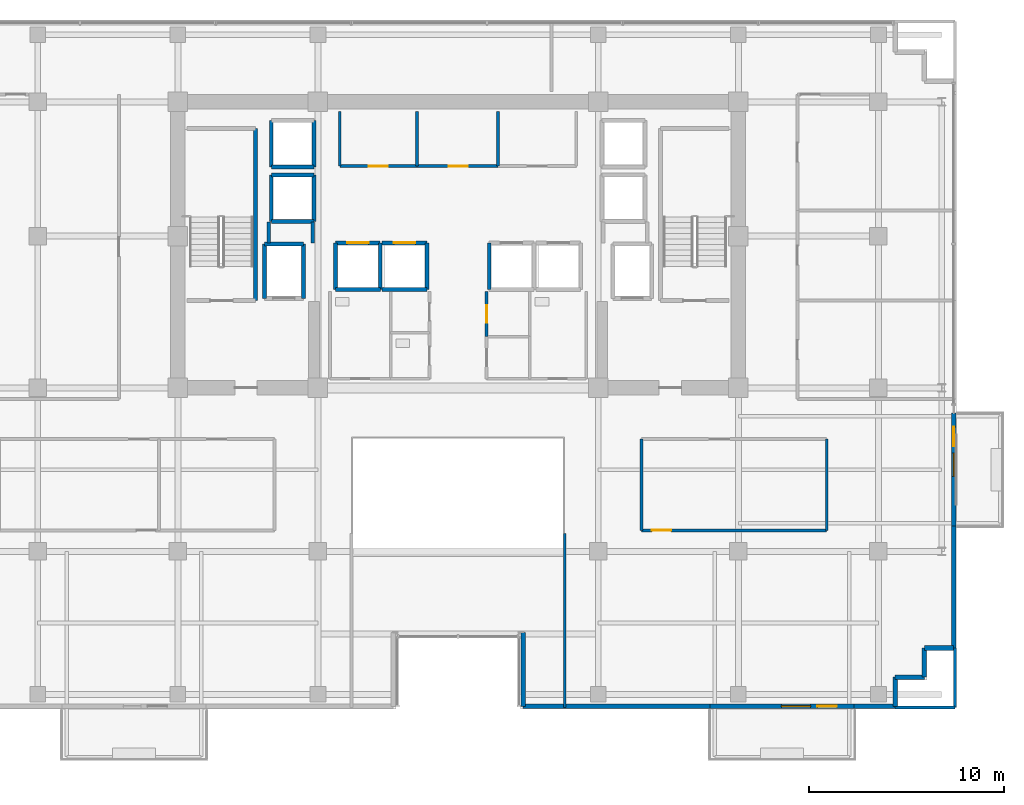
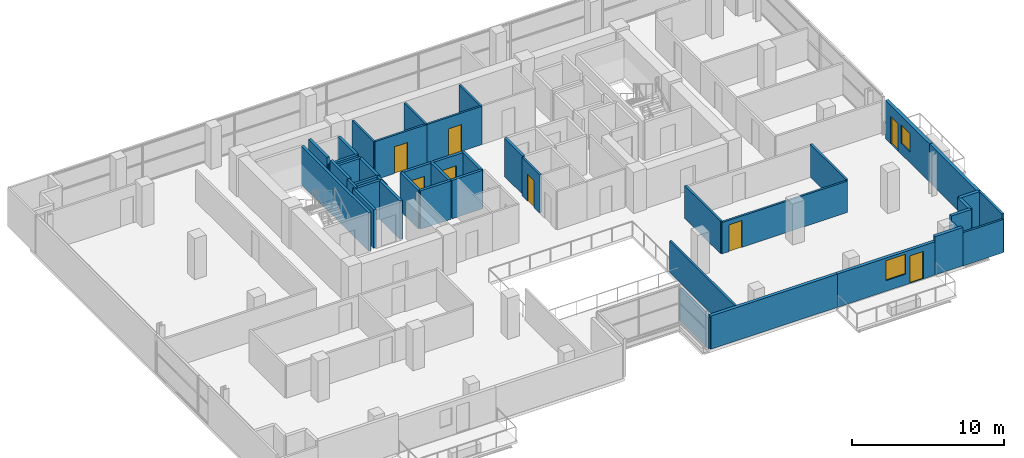
# One storey, part 20 of 25: 43 walls, 8 doors, 2 windows, 10 openings.
"""IFC4 building model written with IfcOpenShell, lengths in metres."""

from ifc_helpers import new_model, si_unit, direction, frame, frame_2d, origin, place, context, subcontext, project, spatial, rectangle, extrude, source, transform, mapped, material, layer, layer_set, type_object, element, fill, save


model = new_model("IFC4")

# Units and contexts
model_context = context("Model", 3, precision=1e-05, world=origin(), true_north=direction((0.0, 1.0)))
body_context = subcontext(model_context, "Body", "Model", "MODEL_VIEW")
ifc_project = project(units=[si_unit("LENGTHUNIT", "METRE"), si_unit("AREAUNIT", "SQUARE_METRE"), si_unit("VOLUMEUNIT", "CUBIC_METRE"), si_unit("PLANEANGLEUNIT", "RADIAN"), si_unit("MASSUNIT", "GRAM", prefix="KILO")], contexts=[model_context])

# Site, building, storey
site_placement = place(None, origin())
site = spatial("IfcSite", under=ifc_project, at=site_placement, CompositionType="ELEMENT")
building_placement = place(site_placement, origin())
building = spatial("IfcBuilding", under=site, at=building_placement, Name="Zarnakvel Exchange Tower", CompositionType="ELEMENT")
storey_placement = place(building_placement, frame((0.0, 0.0, 93.39990234375)))
storey = spatial("IfcBuildingStorey", under=building, at=storey_placement, Name="L25", CompositionType="ELEMENT", Elevation=93.39990234375)

# Wall, openings, door, window
ifc_material_1 = material(Name="Precast concrete C40/50", Category="concrete")
ifc_layer_1 = layer(ifc_material_1, 0.239990234375)
ifc_layer_set_1 = layer_set([ifc_layer_1], Name="Precast concrete C40/50")
wall_type_1 = type_object("IfcWallType", Name="EW-02", PredefinedType="SOLIDWALL", material=ifc_layer_set_1)
wall_1_placement = place(storey_placement, frame((20.35009765625, -17.56005859375, 0.0), z_axis=(0.0, 0.0, 1.0), x_axis=(-1.0, 0.0, 0.0)))
wall_1 = element("IfcWall", 1, at=wall_1_placement, inside=storey, type_object=wall_type_1, Name="L25 Exterior Precast Spandrel Wall EW-BAL-L25-SE (EW-02)", PredefinedType="SOLIDWALL", context=body_context, shape_type="SweptSolid", body=[
    extrude(rectangle(XDim=7.400146484375, YDim=0.239990234375, at=frame_2d((3.7001953125, 0.0))), origin(), (0.0, 0.0, 1.0), 2.6650390625),
])
opening_1_placement = place(wall_1_placement, frame((0.887939453125, 0.0, 0.0)))
opening_1 = element("IfcOpeningElement", 2, at=opening_1_placement, cuts=wall_1, Name="Opening BD-L25-02", PredefinedType="OPENING", context=body_context, shape_type="SweptSolid", body=[
    extrude(rectangle(XDim=1.0, YDim=2.199951171875, at=frame_2d((0.5, 1.10009765625))), frame((0.0, 0.1298828125, 0.0), z_axis=(0.0, -1.0, 0.0), x_axis=(1.0, 0.0, 0.0)), (0.0, 0.0, 1.0), 0.260009765625),
])
opening_2_placement = place(wall_1_placement, frame((2.238037109375, 0.0, 0.85009765625)))
opening_2 = element("IfcOpeningElement", 3, at=opening_2_placement, cuts=wall_1, Name="Opening WN-03", PredefinedType="OPENING", context=body_context, shape_type="SweptSolid", body=[
    extrude(rectangle(XDim=1.5, YDim=1.60009765625, at=frame_2d((0.75, 0.800048828125))), frame((0.0, 0.1298828125, 0.0), z_axis=(0.0, -1.0, 0.0), x_axis=(1.0, 0.0, 0.0)), (0.0, 0.0, 1.0), 0.260009765625),
])
ifc_material_2 = material(Name="Architectural Bronze Anodised Aluminium", Category="aluminium")
door_type_1 = type_object("IfcDoorType", Name="DT-09", OperationType="NOTDEFINED", PredefinedType="DOOR", material=ifc_material_2)
shared_shape_1 = source(origin(), body_context, "Body", "SweptSolid", [
    extrude(rectangle(XDim=1.0, YDim=2.199951171875, at=frame_2d((0.5, 1.10009765625))), frame((0.0, 0.02490234375, 0.0), z_axis=(0.0, -1.0, 0.0), x_axis=(1.0, 0.0, 0.0)), (0.0, 0.0, 1.0), 0.050048828125),
])
door_1_placement = place(opening_1_placement, origin())
door_1 = element("IfcDoor", 4, at=door_1_placement, inside=storey, type_object=door_type_1, Name="L25 Planted Loggia Balcony Door BD-L25-02", OperationType="SINGLE_SWING_RIGHT", OverallHeight=2.199951171875, OverallWidth=1.0, PredefinedType="DOOR", context=body_context, shape_type="MappedRepresentation", body=[
    mapped(shared_shape_1, transform((0.0, 0.0, 0.0), x_axis=(1.0, 0.0, 0.0), y_axis=(0.0, 1.0, 0.0), z_axis=(0.0, 0.0, 1.0), scale=1.0)),
])
fill(opening_1, door_1)
ifc_material_3 = material(Name="Double Low-E Laminated Vision Glass", Category="glass")
window_type_1 = type_object("IfcWindowType", Name="WN-03", PartitioningType="SINGLE_PANEL", PredefinedType="WINDOW", material=ifc_material_3)
shared_shape_2 = source(origin(), body_context, "Body", "SweptSolid", [
    extrude(rectangle(XDim=1.5, YDim=1.60009765625, at=frame_2d((0.75, 0.800048828125))), frame((0.0, 0.030029296875, 0.0), z_axis=(0.0, -1.0, 0.0), x_axis=(1.0, 0.0, 0.0)), (0.0, 0.0, 1.0), 0.06005859375),
])
window_1_placement = place(opening_2_placement, origin())
window_1 = element("IfcWindow", 5, at=window_1_placement, inside=storey, type_object=window_type_1, Name="L25 Loggia Daylight Window (WN-03)", OverallHeight=1.60009765625, OverallWidth=1.5, PartitioningType="SINGLE_PANEL", PredefinedType="WINDOW", context=body_context, shape_type="MappedRepresentation", body=[
    mapped(shared_shape_2, transform((0.0, 0.0, 0.0), x_axis=(1.0, 0.0, 0.0), y_axis=(0.0, 1.0, 0.0), z_axis=(0.0, 0.0, 1.0), scale=1.0)),
])
fill(opening_2, window_1)

wall_2_placement = place(storey_placement, frame((25.4599609375, -2.5, 0.0), z_axis=(0.0, 0.0, 1.0), x_axis=(0.0, -1.0, 0.0)))
wall_2 = element("IfcWall", 6, at=wall_2_placement, inside=storey, type_object=wall_type_1, Name="L25 Exterior Precast Spandrel Wall EW-BAL-L25-E (EW-02)", PredefinedType="SOLIDWALL", context=body_context, shape_type="SweptSolid", body=[
    extrude(rectangle(XDim=5.800048828125, YDim=0.239990234375, at=frame_2d((2.89990234375, 0.0))), origin(), (0.0, 0.0, 1.0), 3.0751953125),
])
opening_3_placement = place(wall_2_placement, frame((0.696044921875, 0.0, 0.0)))
opening_3 = element("IfcOpeningElement", 7, at=opening_3_placement, cuts=wall_2, Name="Opening BD-L25-03", PredefinedType="OPENING", context=body_context, shape_type="SweptSolid", body=[
    extrude(rectangle(XDim=1.0, YDim=2.199951171875, at=frame_2d((0.5, 1.10009765625))), frame((0.0, 0.1298828125, 0.0), z_axis=(0.0, -1.0, 0.0), x_axis=(1.0, 0.0, 0.0)), (0.0, 0.0, 1.0), 0.260009765625),
])
opening_4_placement = place(wall_2_placement, frame((2.0458984375, 0.0, 0.85009765625)))
opening_4 = element("IfcOpeningElement", 8, at=opening_4_placement, cuts=wall_2, Name="Opening WN-04", PredefinedType="OPENING", context=body_context, shape_type="SweptSolid", body=[
    extrude(rectangle(XDim=1.199951171875, YDim=1.5, at=frame_2d((0.60009765625, 0.75))), frame((0.0, 0.1298828125, 0.0), z_axis=(0.0, -1.0, 0.0), x_axis=(1.0, 0.0, 0.0)), (0.0, 0.0, 1.0), 0.260009765625),
])
door_2_placement = place(opening_3_placement, origin())
door_2 = element("IfcDoor", 9, at=door_2_placement, inside=storey, type_object=door_type_1, Name="L25 Planted Loggia Balcony Door BD-L25-03", OperationType="SINGLE_SWING_LEFT", OverallHeight=2.199951171875, OverallWidth=1.0, PredefinedType="DOOR", context=body_context, shape_type="MappedRepresentation", body=[
    mapped(shared_shape_1, transform((0.0, 0.0, 0.0), x_axis=(1.0, 0.0, 0.0), y_axis=(0.0, 1.0, 0.0), z_axis=(0.0, 0.0, 1.0), scale=1.0)),
])
fill(opening_3, door_2)
window_type_2 = type_object("IfcWindowType", Name="WN-04", PartitioningType="SINGLE_PANEL", PredefinedType="WINDOW", material=ifc_material_3)
shared_shape_3 = source(origin(), body_context, "Body", "SweptSolid", [
    extrude(rectangle(XDim=1.199951171875, YDim=1.5, at=frame_2d((0.60009765625, 0.75))), frame((0.0, 0.030029296875, 0.0), z_axis=(0.0, -1.0, 0.0), x_axis=(1.0, 0.0, 0.0)), (0.0, 0.0, 1.0), 0.06005859375),
])
window_2_placement = place(opening_4_placement, origin())
window_2 = element("IfcWindow", 10, at=window_2_placement, inside=storey, type_object=window_type_2, Name="L25 Loggia Daylight Window (WN-04)", OverallHeight=1.5, OverallWidth=1.199951171875, PartitioningType="SINGLE_PANEL", PredefinedType="WINDOW", context=body_context, shape_type="MappedRepresentation", body=[
    mapped(shared_shape_3, transform((0.0, 0.0, 0.0), x_axis=(1.0, 0.0, 0.0), y_axis=(0.0, 1.0, 0.0), z_axis=(0.0, 0.0, 1.0), scale=1.0)),
])
fill(opening_4, window_2)

# Walls
wall_3_placement = place(storey_placement, frame((25.4599609375, -14.56005859375, 0.0), z_axis=(0.0, 0.0, 1.0), x_axis=(0.0, 1.0, 0.0)))
element("IfcWall", 11, at=wall_3_placement, inside=storey, type_object=wall_type_1, Name="L25 Exterior Precast Spandrel Wall EWC-L25-10 (EW-02)", PredefinedType="SOLIDWALL", context=body_context, shape_type="SweptSolid", body=[
    extrude(rectangle(XDim=6.260009765625, YDim=0.239990234375, at=frame_2d((3.1298828125, 0.0))), origin(), (0.0, 0.0, 1.0), 3.0751953125),
])
for number, where, z_axis, x_axis, name in (
    (12, (23.9599609375, -14.56005859375, 0.0), (0.0, 0.0, 1.0), (1.0, 0.0, 0.0), "L25 Exterior Precast Spandrel Wall EWC-L25-11 (EW-02)"),
    (13, (23.9599609375, -16.06005859375, 0.0), (0.0, 0.0, 1.0), (0.0, 1.0, 0.0), "L25 Exterior Precast Spandrel Wall EWC-L25-12 (EW-02)"),
    (14, (22.4599609375, -16.06005859375, 0.0), (0.0, 0.0, 1.0), (1.0, 0.0, 0.0), "L25 Exterior Precast Spandrel Wall EWC-L25-13 (EW-02)"),
):
    element("IfcWall", number, at=place(storey_placement, frame(where, z_axis=z_axis, x_axis=x_axis)), inside=storey, type_object=wall_type_1, Name=name, PredefinedType="SOLIDWALL", context=body_context, shape_type="SweptSolid", body=[
        extrude(rectangle(XDim=1.5, YDim=0.239990234375, at=frame_2d((0.75, 0.0))), origin(), (0.0, 0.0, 1.0), 3.0751953125),
    ])
wall_4_placement = place(storey_placement, frame((22.4599609375, -17.56005859375, 0.0), z_axis=(0.0, 0.0, 1.0), x_axis=(0.0, 1.0, 0.0)))
element("IfcWall", 15, at=wall_4_placement, inside=storey, type_object=wall_type_1, Name="L25 Exterior Precast Spandrel Wall EWC-L25-14 (EW-02)", PredefinedType="SOLIDWALL", context=body_context, shape_type="SweptSolid", body=[
    extrude(rectangle(XDim=1.5, YDim=0.239990234375, at=frame_2d((0.75, 0.0))), origin(), (0.0, 0.0, 1.0), 2.565185546875),
])
wall_5_placement = place(storey_placement, frame((20.35009765625, -17.56005859375, 0.0), z_axis=(0.0, 0.0, 1.0), x_axis=(1.0, 0.0, 0.0)))
element("IfcWall", 16, at=wall_5_placement, inside=storey, type_object=wall_type_1, Name="L25 Exterior Precast Spandrel Wall EWC-L25-15 (EW-02)", PredefinedType="SOLIDWALL", context=body_context, shape_type="SweptSolid", body=[
    extrude(rectangle(XDim=2.10986328125, YDim=0.239990234375, at=frame_2d((1.054931640625, 0.0))), origin(), (0.0, 0.0, 1.0), 3.0751953125),
])
wall_6_placement = place(storey_placement, frame((3.340087890625, -17.56005859375, 0.0), z_axis=(0.0, 0.0, 1.0), x_axis=(1.0, 0.0, 0.0)))
element("IfcWall", 17, at=wall_6_placement, inside=storey, type_object=wall_type_1, Name="L25 Exterior Precast Spandrel Wall EWC-L25-16 (EW-02)", PredefinedType="SOLIDWALL", context=body_context, shape_type="SweptSolid", body=[
    extrude(rectangle(XDim=9.60986328125, YDim=0.239990234375, at=frame_2d((4.804931640625, 0.0))), origin(), (0.0, 0.0, 1.0), 2.6650390625),
])
wall_7_placement = place(storey_placement, frame((3.340087890625, -13.760009765625, 0.0), z_axis=(0.0, 0.0, 1.0), x_axis=(0.0, -1.0, 0.0)))
element("IfcWall", 18, at=wall_7_placement, inside=storey, type_object=wall_type_1, Name="L25 Exterior Precast Spandrel Wall EWC-L25-17 (EW-02)", PredefinedType="SOLIDWALL", context=body_context, shape_type="SweptSolid", body=[
    extrude(rectangle(XDim=3.800048828125, YDim=0.239990234375, at=frame_2d((1.89990234375, 0.0))), origin(), (0.0, 0.0, 1.0), 2.51513671875),
])

# Wall, opening, door
ifc_material_4 = material(Name="Fire-Rated Gypsum Stud Partition", Category="gypsum")
ifc_layer_2 = layer(ifc_material_4, 0.14990234375)
ifc_layer_set_2 = layer_set([ifc_layer_2], Name="Fire-Rated Gypsum Stud Partition")
wall_type_2 = type_object("IfcWallType", Name="PT-01", PredefinedType="PARTITIONING", material=ifc_layer_set_2)
wall_8_placement = place(storey_placement, frame((-2.1201171875, 10.199951171875, 0.0), z_axis=(0.0, 0.0, 1.0), x_axis=(-1.0, 0.0, 0.0)))
wall_8 = element("IfcWall", 19, at=wall_8_placement, inside=storey, type_object=wall_type_2, Name="L25 Partition Wall PWALL-L25-011 (PT-01)", PredefinedType="PARTITIONING", context=body_context, shape_type="SweptSolid", body=[
    extrude(rectangle(XDim=3.9599609375, YDim=0.14990234375, at=frame_2d((1.97998046875, 0.0))), origin(), (0.0, 0.0, 1.0), 3.0751953125),
])
opening_5_placement = place(wall_8_placement, frame((1.489990234375, 0.0, 0.0)))
opening_5 = element("IfcOpeningElement", 20, at=opening_5_placement, cuts=wall_8, Name="Opening D-L25-05", PredefinedType="OPENING", context=body_context, shape_type="SweptSolid", body=[
    extrude(rectangle(XDim=0.97998046875, YDim=2.14990234375, at=frame_2d((0.489990234375, 1.074951171875))), frame((0.0, 0.0849609375, 0.0), z_axis=(0.0, -1.0, 0.0), x_axis=(1.0, 0.0, 0.0)), (0.0, 0.0, 1.0), 0.169921875),
])
ifc_material_5 = material(Name="Timber Acoustic Veneer", Category="wood")
door_type_2 = type_object("IfcDoorType", Name="DT-05", OperationType="NOTDEFINED", PredefinedType="DOOR", material=ifc_material_5)
shared_shape_4 = source(origin(), body_context, "Body", "SweptSolid", [
    extrude(rectangle(XDim=0.97998046875, YDim=2.14990234375, at=frame_2d((0.489990234375, 1.074951171875))), frame((0.0, 0.02490234375, 0.0), z_axis=(0.0, -1.0, 0.0), x_axis=(1.0, 0.0, 0.0)), (0.0, 0.0, 1.0), 0.050048828125),
])
door_3_placement = place(opening_5_placement, origin())
door_3 = element("IfcDoor", 21, at=door_3_placement, inside=storey, type_object=door_type_2, Name="L25 Clearing Records Office Door D-L25-05", OperationType="SINGLE_SWING_RIGHT", OverallHeight=2.14990234375, OverallWidth=0.97998046875, PredefinedType="DOOR", context=body_context, shape_type="MappedRepresentation", body=[
    mapped(shared_shape_4, transform((0.0, 0.0, 0.0), x_axis=(1.0, 0.0, 0.0), y_axis=(0.0, 1.0, 0.0), z_axis=(0.0, 0.0, 1.0), scale=1.0)),
])
fill(opening_5, door_3)

# Walls
for number, where, z_axis, x_axis, name in (
    (22, (-6.080078125, 10.199951171875, 0.0), (0.0, 0.0, 1.0), (0.0, 1.0, 0.0), "L25 Partition Wall PWALL-L25-012 (PT-01)"),
    (23, (-2.1201171875, 13.0, 0.0), (0.0, 0.0, 1.0), (0.0, -1.0, 0.0), "L25 Partition Wall PWALL-L25-013 (PT-01)"),
):
    element("IfcWall", number, at=place(storey_placement, frame(where, z_axis=z_axis, x_axis=x_axis)), inside=storey, type_object=wall_type_2, Name=name, PredefinedType="PARTITIONING", context=body_context, shape_type="SweptSolid", body=[
        extrude(rectangle(XDim=2.800048828125, YDim=0.14990234375, at=frame_2d((1.39990234375, 0.0))), origin(), (0.0, 0.0, 1.0), 3.0751953125),
    ])

# Wall, opening, door
wall_9_placement = place(storey_placement, frame((2.0400390625, 10.199951171875, 0.0), z_axis=(0.0, 0.0, 1.0), x_axis=(-1.0, 0.0, 0.0)))
wall_9 = element("IfcWall", 24, at=wall_9_placement, inside=storey, type_object=wall_type_2, Name="L25 Partition Wall PWALL-L25-014 (PT-01)", PredefinedType="PARTITIONING", context=body_context, shape_type="SweptSolid", body=[
    extrude(rectangle(XDim=4.16015625, YDim=0.14990234375, at=frame_2d((2.080078125, 0.0))), origin(), (0.0, 0.0, 1.0), 3.0751953125),
])
opening_6_placement = place(wall_9_placement, frame((1.550048828125, 0.0, 0.0)))
opening_6 = element("IfcOpeningElement", 25, at=opening_6_placement, cuts=wall_9, Name="Opening D-L25-06", PredefinedType="OPENING", context=body_context, shape_type="SweptSolid", body=[
    extrude(rectangle(XDim=0.97998046875, YDim=2.14990234375, at=frame_2d((0.489990234375, 1.074951171875))), frame((0.0, 0.0849609375, 0.0), z_axis=(0.0, -1.0, 0.0), x_axis=(1.0, 0.0, 0.0)), (0.0, 0.0, 1.0), 0.169921875),
])
door_4_placement = place(opening_6_placement, origin())
door_4 = element("IfcDoor", 26, at=door_4_placement, inside=storey, type_object=door_type_2, Name="L25 Brokerage Filing Room Door D-L25-06", OperationType="SINGLE_SWING_LEFT", OverallHeight=2.14990234375, OverallWidth=0.97998046875, PredefinedType="DOOR", context=body_context, shape_type="MappedRepresentation", body=[
    mapped(shared_shape_4, transform((0.0, 0.0, 0.0), x_axis=(1.0, 0.0, 0.0), y_axis=(0.0, 1.0, 0.0), z_axis=(0.0, 0.0, 1.0), scale=1.0)),
])
fill(opening_6, door_4)

# Wall
wall_10_placement = place(storey_placement, frame((2.0400390625, 13.0, 0.0), z_axis=(0.0, 0.0, 1.0), x_axis=(0.0, -1.0, 0.0)))
element("IfcWall", 27, at=wall_10_placement, inside=storey, type_object=wall_type_2, Name="L25 Partition Wall PWALL-L25-015 (PT-01)", PredefinedType="PARTITIONING", context=body_context, shape_type="SweptSolid", body=[
    extrude(rectangle(XDim=2.800048828125, YDim=0.14990234375, at=frame_2d((1.39990234375, 0.0))), origin(), (0.0, 0.0, 1.0), 3.0751953125),
])

# Wall, opening, door
wall_11_placement = place(storey_placement, frame((1.469970703125, 1.429931640625, 0.0), z_axis=(0.0, 0.0, 1.0), x_axis=(0.0, 1.0, 0.0)))
wall_11 = element("IfcWall", 28, at=wall_11_placement, inside=storey, type_object=wall_type_2, Name="L25 Partition Wall PWALL-L25-029 (PT-01)", PredefinedType="PARTITIONING", context=body_context, shape_type="SweptSolid", body=[
    extrude(rectangle(XDim=2.330078125, YDim=0.14990234375, at=frame_2d((1.1650390625, 0.0))), origin(), (0.0, 0.0, 1.0), 3.0751953125),
])
opening_7_placement = place(wall_11_placement, frame((0.72998046875, 0.0, 0.0)))
opening_7 = element("IfcOpeningElement", 29, at=opening_7_placement, cuts=wall_11, Name="Opening D-L25-12", PredefinedType="OPENING", context=body_context, shape_type="SweptSolid", body=[
    extrude(rectangle(XDim=0.8798828125, YDim=2.14990234375, at=frame_2d((0.43994140625, 1.074951171875))), frame((0.0, 0.0849609375, 0.0), z_axis=(0.0, -1.0, 0.0), x_axis=(1.0, 0.0, 0.0)), (0.0, 0.0, 1.0), 0.169921875),
])
shared_shape_5 = source(origin(), body_context, "Body", "SweptSolid", [
    extrude(rectangle(XDim=0.8798828125, YDim=2.14990234375, at=frame_2d((0.43994140625, 1.074951171875))), frame((0.0, 0.02490234375, 0.0), z_axis=(0.0, -1.0, 0.0), x_axis=(1.0, 0.0, 0.0)), (0.0, 0.0, 1.0), 0.050048828125),
])
door_5_placement = place(opening_7_placement, origin())
door_5 = element("IfcDoor", 30, at=door_5_placement, inside=storey, type_object=door_type_2, Name="L25 Stationery Store Door D-L25-12", OperationType="SINGLE_SWING_LEFT", OverallHeight=2.14990234375, OverallWidth=0.8798828125, PredefinedType="DOOR", context=body_context, shape_type="MappedRepresentation", body=[
    mapped(shared_shape_5, transform((0.0, 0.0, 0.0), x_axis=(1.0, 0.0, 0.0), y_axis=(0.0, 1.0, 0.0), z_axis=(0.0, 0.0, 1.0), scale=1.0)),
])
fill(opening_7, door_5)

wall_12_placement = place(storey_placement, frame((18.941162109375, -8.52001953125, 0.0), z_axis=(0.0, 0.0, 1.0), x_axis=(-1.0, 0.0, 0.0)))
wall_12 = element("IfcWall", 31, at=wall_12_placement, inside=storey, type_object=wall_type_2, Name="L25 Partition Wall PWALL-L25-043 (PT-01)", PredefinedType="PARTITIONING", context=body_context, shape_type="SweptSolid", body=[
    extrude(rectangle(XDim=9.51123046875, YDim=0.14990234375, at=frame_2d((4.755615234375, 0.0))), origin(), (0.0, 0.0, 1.0), 2.51513671875),
])
opening_8_placement = place(wall_12_placement, frame((8.001220703125, 0.0, 0.0)))
opening_8 = element("IfcOpeningElement", 32, at=opening_8_placement, cuts=wall_12, Name="Opening D-L25-18", PredefinedType="OPENING", context=body_context, shape_type="SweptSolid", body=[
    extrude(rectangle(XDim=0.97998046875, YDim=2.14990234375, at=frame_2d((0.489990234375, 1.074951171875))), frame((0.0, 0.0849609375, 0.0), z_axis=(0.0, -1.0, 0.0), x_axis=(1.0, 0.0, 0.0)), (0.0, 0.0, 1.0), 0.169921875),
])
door_6_placement = place(opening_8_placement, origin())
door_6 = element("IfcDoor", 33, at=door_6_placement, inside=storey, type_object=door_type_2, Name="L25 Clearing Office Door D-L25-18", OperationType="SINGLE_SWING_LEFT", OverallHeight=2.14990234375, OverallWidth=0.97998046875, PredefinedType="DOOR", context=body_context, shape_type="MappedRepresentation", body=[
    mapped(shared_shape_4, transform((0.0, 0.0, 0.0), x_axis=(1.0, 0.0, 0.0), y_axis=(0.0, 1.0, 0.0), z_axis=(0.0, 0.0, 1.0), scale=1.0)),
])
fill(opening_8, door_6)

# Walls
for number, where, z_axis, x_axis, name in (
    (34, (9.429931640625, -8.52001953125, 0.0), (0.0, 0.0, 1.0), (0.0, 1.0, 0.0), "L25 Partition Wall PWALL-L25-045 (PT-01)"),
    (35, (18.941162109375, -3.830078125, 0.0), (0.0, 0.0, 1.0), (0.0, -1.0, 0.0), "L25 Partition Wall PWALL-L25-046 (PT-01)"),
):
    element("IfcWall", number, at=place(storey_placement, frame(where, z_axis=z_axis, x_axis=x_axis)), inside=storey, type_object=wall_type_2, Name=name, PredefinedType="PARTITIONING", context=body_context, shape_type="SweptSolid", body=[
        extrude(rectangle(XDim=4.68994140625, YDim=0.14990234375, at=frame_2d((2.344970703125, 0.0))), origin(), (0.0, 0.0, 1.0), 2.614990234375),
    ])
wall_13_placement = place(storey_placement, frame((25.530029296875, -17.6298828125, 0.0), z_axis=(0.0, 0.0, 1.0), x_axis=(-1.0, 0.0, 0.0)))
element("IfcWall", 36, at=wall_13_placement, inside=storey, type_object=wall_type_2, Name="L25 Partition Wall PWALL-L25-047 (PT-01)", PredefinedType="PARTITIONING", context=body_context, shape_type="SweptSolid", body=[
    extrude(rectangle(XDim=3.070068359375, YDim=0.14990234375, at=frame_2d((1.53515625, 0.0))), origin(), (0.0, 0.0, 1.0), 2.6650390625),
])
wall_14_placement = place(storey_placement, frame((5.47998046875, -17.6298828125, 0.0), z_axis=(0.0, 0.0, 1.0), x_axis=(0.0, 1.0, 0.0)))
element("IfcWall", 37, at=wall_14_placement, inside=storey, type_object=wall_type_2, Name="L25 Partition Wall PWALL-L25-048 (PT-01)", PredefinedType="PARTITIONING", context=body_context, shape_type="SweptSolid", body=[
    extrude(rectangle(XDim=8.949951171875, YDim=0.14990234375, at=frame_2d((4.47509765625, 0.0))), origin(), (0.0, 0.0, 1.0), 2.51513671875),
])
wall_15_placement = place(storey_placement, frame((25.530029296875, -14.56005859375, 0.0), z_axis=(0.0, 0.0, 1.0), x_axis=(0.0, -1.0, 0.0)))
element("IfcWall", 38, at=wall_15_placement, inside=storey, type_object=wall_type_2, Name="L25 Partition Wall PWALL-L25-049 (PT-01)", PredefinedType="PARTITIONING", context=body_context, shape_type="SweptSolid", body=[
    extrude(rectangle(XDim=3.06982421875, YDim=0.14990234375, at=frame_2d((1.534912109375, 0.0))), origin(), (0.0, 0.0, 1.0), 3.0751953125),
])
ifc_layer_3 = layer(ifc_material_4, 0.179931640625)
ifc_layer_set_3 = layer_set([ifc_layer_3], Name="Fire-Rated Gypsum Stud Partition")
wall_type_3 = type_object("IfcWallType", Name="PT-02", PredefinedType="PARTITIONING", material=ifc_layer_set_3)
wall_16_placement = place(storey_placement, frame((-9.72998046875, 6.239990234375, 0.0), z_axis=(0.0, 0.0, 1.0), x_axis=(0.0, 1.0, 0.0)))
element("IfcWall", 39, at=wall_16_placement, inside=storey, type_object=wall_type_3, Name="L25 Partition Wall PWALL-L25-007 (PT-02)", PredefinedType="PARTITIONING", context=body_context, shape_type="SweptSolid", body=[
    extrude(rectangle(XDim=1.090087890625, YDim=0.179931640625, at=frame_2d((0.544921875, 0.0))), origin(), (0.0, 0.0, 1.0), 3.0751953125),
])
wall_17_placement = place(storey_placement, frame((-7.469970703125, 7.330078125, 0.0), z_axis=(0.0, 0.0, 1.0), x_axis=(0.0, -1.0, 0.0)))
element("IfcWall", 40, at=wall_17_placement, inside=storey, type_object=wall_type_3, Name="L25 Partition Wall PWALL-L25-008 (PT-02)", PredefinedType="PARTITIONING", context=body_context, shape_type="SweptSolid", body=[
    extrude(rectangle(XDim=1.090087890625, YDim=0.179931640625, at=frame_2d((0.544921875, 0.0))), origin(), (0.0, 0.0, 1.0), 2.51513671875),
])
ifc_material_6 = material(Name="Concrete C40/50", Category="concrete")
ifc_layer_4 = layer(ifc_material_6, 0.199951171875)
ifc_layer_set_4 = layer_set([ifc_layer_4], Name="Concrete C40/50")
wall_type_4 = type_object("IfcWallType", Name="SW-01", PredefinedType="SOLIDWALL", material=ifc_layer_set_4)
wall_18_placement = place(storey_placement, frame((-9.949951171875, 6.199951171875, 0.0), z_axis=(0.0, 0.0, 1.0), x_axis=(1.0, 0.0, 0.0)))
element("IfcWall", 41, at=wall_18_placement, inside=storey, type_object=wall_type_4, Name="L25 FL-01 Hoistway Wall North", PredefinedType="SOLIDWALL", context=body_context, shape_type="SweptSolid", body=[
    extrude(rectangle(XDim=2.0, YDim=0.199951171875, at=frame_2d((1.0, 0.0))), origin(), (0.0, 0.0, 1.0), 3.0751953125),
])
for number, where, z_axis, x_axis, name in (
    (42, (-9.949951171875, 3.39990234375, 0.0), (0.0, 0.0, 1.0), (0.0, 1.0, 0.0), "L25 FL-01 Hoistway Wall West"),
    (43, (-7.949951171875, 6.199951171875, 0.0), (0.0, 0.0, 1.0), (0.0, -1.0, 0.0), "L25 FL-01 Hoistway Wall East"),
):
    element("IfcWall", number, at=place(storey_placement, frame(where, z_axis=z_axis, x_axis=x_axis)), inside=storey, type_object=wall_type_4, Name=name, PredefinedType="SOLIDWALL", context=body_context, shape_type="SweptSolid", body=[
        extrude(rectangle(XDim=2.800048828125, YDim=0.199951171875, at=frame_2d((1.39990234375, 0.0))), origin(), (0.0, 0.0, 1.0), 3.0751953125),
    ])
wall_19_placement = place(storey_placement, frame((-4.0, 3.85009765625, 0.0), z_axis=(0.0, 0.0, 1.0), x_axis=(-1.0, 0.0, 0.0)))
element("IfcWall", 44, at=wall_19_placement, inside=storey, type_object=wall_type_4, Name="L25 PL-05 Hoistway Wall South", PredefinedType="SOLIDWALL", context=body_context, shape_type="SweptSolid", body=[
    extrude(rectangle(XDim=2.300048828125, YDim=0.199951171875, at=frame_2d((1.14990234375, 0.0))), origin(), (0.0, 0.0, 1.0), 3.0751953125),
])

# Wall, opening, door
wall_20_placement = place(storey_placement, frame((-6.300048828125, 6.25, 0.0), z_axis=(0.0, 0.0, 1.0), x_axis=(1.0, 0.0, 0.0)))
wall_20 = element("IfcWall", 45, at=wall_20_placement, inside=storey, type_object=wall_type_4, Name="L25 PL-05 Hoistway Wall North", PredefinedType="SOLIDWALL", context=body_context, shape_type="SweptSolid", body=[
    extrude(rectangle(XDim=2.300048828125, YDim=0.199951171875, at=frame_2d((1.14990234375, 0.0))), origin(), (0.0, 0.0, 1.0), 3.0751953125),
])
opening_9_placement = place(wall_20_placement, frame((0.60009765625, 0.0, 0.0)))
opening_9 = element("IfcOpeningElement", 46, at=opening_9_placement, cuts=wall_20, Name="Opening LD-PL-05-L25", PredefinedType="OPENING", context=body_context, shape_type="SweptSolid", body=[
    extrude(rectangle(XDim=1.10009765625, YDim=2.199951171875, at=frame_2d((0.550048828125, 1.10009765625))), frame((0.0, 0.10986328125, 0.0), z_axis=(0.0, -1.0, 0.0), x_axis=(1.0, 0.0, 0.0)), (0.0, 0.0, 1.0), 0.219970703125),
])
door_type_3 = type_object("IfcDoorType", Name="LDT-02", OperationType="NOTDEFINED", PredefinedType="DOOR", material=ifc_material_2)
shared_shape_6 = source(origin(), body_context, "Body", "SweptSolid", [
    extrude(rectangle(XDim=1.10009765625, YDim=2.199951171875, at=frame_2d((0.550048828125, 1.10009765625))), frame((0.0, 0.02490234375, 0.0), z_axis=(0.0, -1.0, 0.0), x_axis=(1.0, 0.0, 0.0)), (0.0, 0.0, 1.0), 0.050048828125),
])
door_7_placement = place(opening_9_placement, origin())
door_7 = element("IfcDoor", 47, at=door_7_placement, inside=storey, type_object=door_type_3, Name="L25 PL-05 Lift Landing Door LD-PL-05-L25", OperationType="DOUBLE_DOOR_SLIDING", OverallHeight=2.199951171875, OverallWidth=1.10009765625, PredefinedType="DOOR", context=body_context, shape_type="MappedRepresentation", body=[
    mapped(shared_shape_6, transform((0.0, 0.0, 0.0), x_axis=(1.0, 0.0, 0.0), y_axis=(0.0, 1.0, 0.0), z_axis=(0.0, 0.0, 1.0), scale=1.0)),
])
fill(opening_9, door_7)

# Walls
for number, where, z_axis, x_axis, name in (
    (48, (-6.300048828125, 3.85009765625, 0.0), (0.0, 0.0, 1.0), (0.0, 1.0, 0.0), "L25 PL-05 Hoistway Wall West"),
    (49, (-4.0, 6.25, 0.0), (0.0, 0.0, 1.0), (0.0, -1.0, 0.0), "L25 PL-05 Hoistway Wall East"),
):
    element("IfcWall", number, at=place(storey_placement, frame(where, z_axis=z_axis, x_axis=x_axis)), inside=storey, type_object=wall_type_4, Name=name, PredefinedType="SOLIDWALL", context=body_context, shape_type="SweptSolid", body=[
        extrude(rectangle(XDim=2.39990234375, YDim=0.199951171875, at=frame_2d((1.199951171875, 0.0))), origin(), (0.0, 0.0, 1.0), 3.0751953125),
    ])
wall_21_placement = place(storey_placement, frame((-1.60009765625, 3.85009765625, 0.0), z_axis=(0.0, 0.0, 1.0), x_axis=(-1.0, 0.0, 0.0)))
element("IfcWall", 50, at=wall_21_placement, inside=storey, type_object=wall_type_4, Name="L25 PL-06 Hoistway Wall South", PredefinedType="SOLIDWALL", context=body_context, shape_type="SweptSolid", body=[
    extrude(rectangle(XDim=2.2998046875, YDim=0.199951171875, at=frame_2d((1.14990234375, 0.0))), origin(), (0.0, 0.0, 1.0), 3.0751953125),
])

# Wall, opening, door
wall_22_placement = place(storey_placement, frame((-3.89990234375, 6.25, 0.0), z_axis=(0.0, 0.0, 1.0), x_axis=(1.0, 0.0, 0.0)))
wall_22 = element("IfcWall", 51, at=wall_22_placement, inside=storey, type_object=wall_type_4, Name="L25 PL-06 Hoistway Wall North", PredefinedType="SOLIDWALL", context=body_context, shape_type="SweptSolid", body=[
    extrude(rectangle(XDim=2.2998046875, YDim=0.199951171875, at=frame_2d((1.14990234375, 0.0))), origin(), (0.0, 0.0, 1.0), 3.0751953125),
])
opening_10_placement = place(wall_22_placement, frame((0.60009765625, 0.0, 0.0)))
opening_10 = element("IfcOpeningElement", 52, at=opening_10_placement, cuts=wall_22, Name="Opening LD-PL-06-L25", PredefinedType="OPENING", context=body_context, shape_type="SweptSolid", body=[
    extrude(rectangle(XDim=1.10009765625, YDim=2.199951171875, at=frame_2d((0.550048828125, 1.10009765625))), frame((0.0, 0.10986328125, 0.0), z_axis=(0.0, -1.0, 0.0), x_axis=(1.0, 0.0, 0.0)), (0.0, 0.0, 1.0), 0.219970703125),
])
door_8_placement = place(opening_10_placement, origin())
door_8 = element("IfcDoor", 53, at=door_8_placement, inside=storey, type_object=door_type_3, Name="L25 PL-06 Lift Landing Door LD-PL-06-L25", OperationType="DOUBLE_DOOR_SLIDING", OverallHeight=2.199951171875, OverallWidth=1.10009765625, PredefinedType="DOOR", context=body_context, shape_type="MappedRepresentation", body=[
    mapped(shared_shape_6, transform((0.0, 0.0, 0.0), x_axis=(1.0, 0.0, 0.0), y_axis=(0.0, 1.0, 0.0), z_axis=(0.0, 0.0, 1.0), scale=1.0)),
])
fill(opening_10, door_8)

# Walls
for number, where, z_axis, x_axis, name in (
    (54, (-1.60009765625, 6.25, 0.0), (0.0, 0.0, 1.0), (0.0, -1.0, 0.0), "L25 PL-06 Hoistway Wall East"),
    (55, (1.60009765625, 3.85009765625, 0.0), (0.0, 0.0, 1.0), (0.0, 1.0, 0.0), "L25 PL-07 Hoistway Wall West"),
):
    element("IfcWall", number, at=place(storey_placement, frame(where, z_axis=z_axis, x_axis=x_axis)), inside=storey, type_object=wall_type_4, Name=name, PredefinedType="SOLIDWALL", context=body_context, shape_type="SweptSolid", body=[
        extrude(rectangle(XDim=2.39990234375, YDim=0.199951171875, at=frame_2d((1.199951171875, 0.0))), origin(), (0.0, 0.0, 1.0), 3.0751953125),
    ])
for number, where, z_axis, x_axis, name in (
    (56, (-7.39990234375, 7.35009765625, 0.0), (0.0, 0.0, 1.0), (-1.0, 0.0, 0.0), "L25 PL-09 Hoistway Wall South"),
    (57, (-9.60009765625, 9.75, 0.0), (0.0, 0.0, 1.0), (1.0, 0.0, 0.0), "L25 PL-09 Hoistway Wall North"),
):
    element("IfcWall", number, at=place(storey_placement, frame(where, z_axis=z_axis, x_axis=x_axis)), inside=storey, type_object=wall_type_4, Name=name, PredefinedType="SOLIDWALL", context=body_context, shape_type="SweptSolid", body=[
        extrude(rectangle(XDim=2.2001953125, YDim=0.199951171875, at=frame_2d((1.10009765625, 0.0))), origin(), (0.0, 0.0, 1.0), 2.51513671875),
    ])
wall_23_placement = place(storey_placement, frame((-9.60009765625, 7.35009765625, 0.0), z_axis=(0.0, 0.0, 1.0), x_axis=(0.0, 1.0, 0.0)))
element("IfcWall", 58, at=wall_23_placement, inside=storey, type_object=wall_type_4, Name="L25 PL-09 Hoistway Wall West", PredefinedType="SOLIDWALL", context=body_context, shape_type="SweptSolid", body=[
    extrude(rectangle(XDim=2.39990234375, YDim=0.199951171875, at=frame_2d((1.199951171875, 0.0))), origin(), (0.0, 0.0, 1.0), 3.0751953125),
])
wall_24_placement = place(storey_placement, frame((-7.39990234375, 9.75, 0.0), z_axis=(0.0, 0.0, 1.0), x_axis=(0.0, -1.0, 0.0)))
element("IfcWall", 59, at=wall_24_placement, inside=storey, type_object=wall_type_4, Name="L25 PL-09 Hoistway Wall East", PredefinedType="SOLIDWALL", context=body_context, shape_type="SweptSolid", body=[
    extrude(rectangle(XDim=2.39990234375, YDim=0.199951171875, at=frame_2d((1.199951171875, 0.0))), origin(), (0.0, 0.0, 1.0), 2.51513671875),
])
wall_25_placement = place(storey_placement, frame((-7.39990234375, 10.14990234375, 0.0), z_axis=(0.0, 0.0, 1.0), x_axis=(-1.0, 0.0, 0.0)))
element("IfcWall", 60, at=wall_25_placement, inside=storey, type_object=wall_type_4, Name="L25 PL-10 Hoistway Wall South", PredefinedType="SOLIDWALL", context=body_context, shape_type="SweptSolid", body=[
    extrude(rectangle(XDim=2.2001953125, YDim=0.199951171875, at=frame_2d((1.10009765625, 0.0))), origin(), (0.0, 0.0, 1.0), 2.51513671875),
])
wall_26_placement = place(storey_placement, frame((-9.60009765625, 10.14990234375, 0.0), z_axis=(0.0, 0.0, 1.0), x_axis=(0.0, 1.0, 0.0)))
element("IfcWall", 61, at=wall_26_placement, inside=storey, type_object=wall_type_4, Name="L25 PL-10 Hoistway Wall West", PredefinedType="SOLIDWALL", context=body_context, shape_type="SweptSolid", body=[
    extrude(rectangle(XDim=2.400146484375, YDim=0.199951171875, at=frame_2d((1.2001953125, 0.0))), origin(), (0.0, 0.0, 1.0), 3.0751953125),
])
wall_27_placement = place(storey_placement, frame((-7.39990234375, 12.550048828125, 0.0), z_axis=(0.0, 0.0, 1.0), x_axis=(0.0, -1.0, 0.0)))
element("IfcWall", 62, at=wall_27_placement, inside=storey, type_object=wall_type_4, Name="L25 PL-10 Hoistway Wall East", PredefinedType="SOLIDWALL", context=body_context, shape_type="SweptSolid", body=[
    extrude(rectangle(XDim=2.400146484375, YDim=0.199951171875, at=frame_2d((1.2001953125, 0.0))), origin(), (0.0, 0.0, 1.0), 2.51513671875),
])
ifc_layer_5 = layer(ifc_material_6, 0.199951171875)
ifc_layer_set_5 = layer_set([ifc_layer_5], Name="Concrete C40/50")
wall_type_5 = type_object("IfcWallType", Name="SW-02", PredefinedType="SOLIDWALL", material=ifc_layer_set_5)
wall_28_placement = place(storey_placement, frame((-10.409912109375, 12.1298828125, 0.0), z_axis=(0.0, 0.0, 1.0), x_axis=(0.0, -1.0, 0.0)))
element("IfcWall", 63, at=wall_28_placement, inside=storey, type_object=wall_type_5, Name="L25 Stairwell Core Wall PWALL-L25-003 (SW-02)", PredefinedType="SOLIDWALL", context=body_context, shape_type="SweptSolid", body=[
    extrude(rectangle(XDim=8.83984375, YDim=0.199951171875, at=frame_2d((4.419921875, 0.0))), origin(), (0.0, 0.0, 1.0), 3.0751953125),
])

save(model, "model.ifc")
